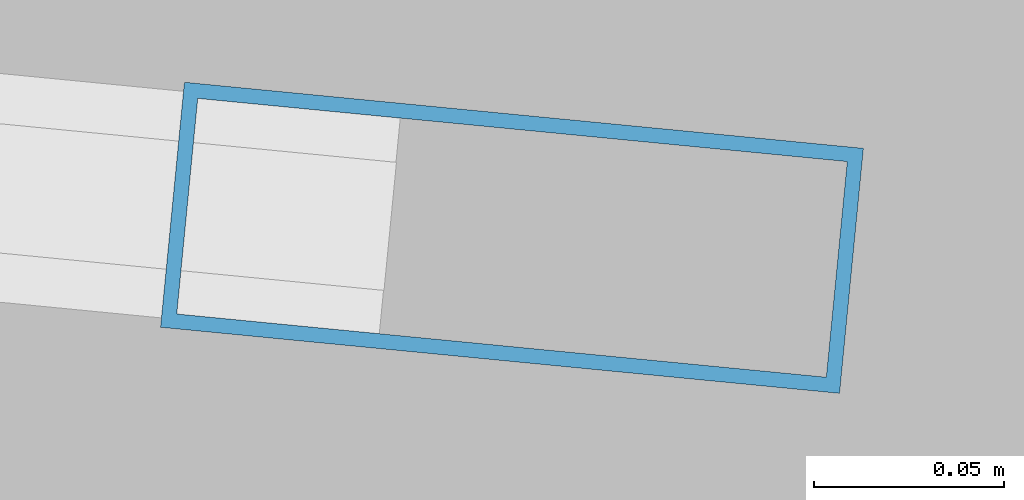
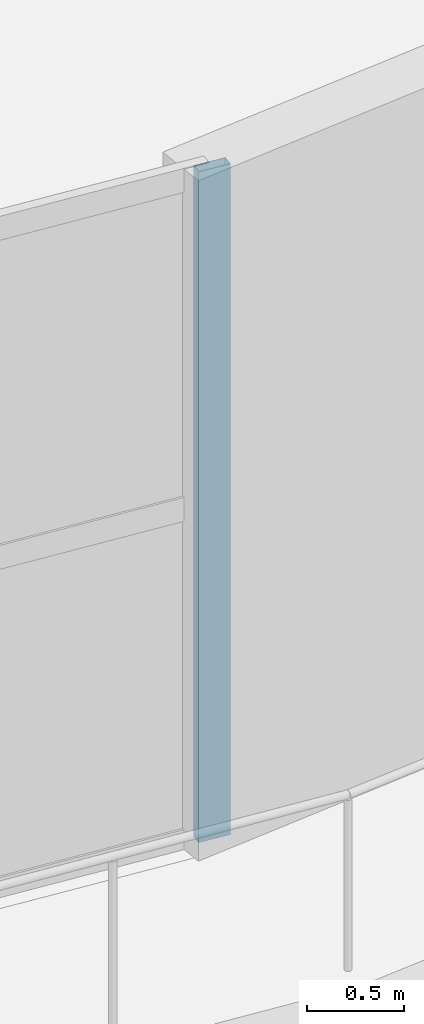
# One storey, part 32 of 123: 1 member, 1 element without a shape of its own.
"""IFC4 building model written with IfcOpenShell, lengths in metres."""

import ifcopenshell
import ifcopenshell.guid

model = None  # the IFC model being written
_history = None  # IfcOwnerHistory: only IFC2X3 demands one
_inside = {}  # id of a spatial element -> (the spatial element, [elements in it])
_under = {}  # id of a project, library or spatial element -> (it, [spatial elements below it])
_declared = {}  # id of a project -> (the project, [libraries it declares])
_typed = {}  # id of a type object -> (the type object, [elements of that type])
_made_of = {}  # id of a material, layer set ... -> (it, [elements and type objects made of it])


def new_model(schema):
    """Start an empty IFC model of exactly this schema.

    Asked for "IFC4X3", IfcOpenShell would pick the latest addendum, in which some entities
    have other attributes; the version numbers below select the first issue.
    IFC2X3 requires an IfcOwnerHistory on every rooted entity: one is made here for all.
    """
    global model, _history
    if schema == "IFC4X3":
        model = ifcopenshell.file(schema_version=(4, 3, 0, 0))
    else:
        model = ifcopenshell.file(schema=schema)
    _inside.clear()
    _under.clear()
    _declared.clear()
    _typed.clear()
    _made_of.clear()
    _history = None
    if model.schema == "IFC2X3":
        org = make("IfcOrganization", Name="unknown")
        user = make(
            "IfcPersonAndOrganization",
            ThePerson=make("IfcPerson", FamilyName="unknown"),
            TheOrganization=org,
        )
        app = make(
            "IfcApplication",
            ApplicationDeveloper=org,
            Version="unknown",
            ApplicationFullName="unknown",
            ApplicationIdentifier="unknown",
        )
        _history = make(
            "IfcOwnerHistory",
            OwningUser=user,
            OwningApplication=app,
            ChangeAction="ADDED",
            CreationDate=0,
        )
    return model


def make(cls, **values):
    """One entity of the class cls with the attributes given. An attribute that is None is left unset."""
    return model.create_entity(
        cls, **{name: value for name, value in values.items() if value is not None}
    )


def rooted(cls, **values):
    """An entity with a GlobalId (a new one), such as an element, a storey or a relation."""
    return make(cls, GlobalId=ifcopenshell.guid.new(), OwnerHistory=_history, **values)


def si_unit(unit_type, name, prefix=None):
    """IfcSIUnit, for example si_unit("LENGTHUNIT", "METRE", prefix="MILLI")."""
    return make("IfcSIUnit", UnitType=unit_type, Prefix=prefix, Name=name)


def assignment(units):
    """IfcUnitAssignment: the units of a project."""
    return None if units is None else make("IfcUnitAssignment", Units=units)


def point(xyz):
    """IfcCartesianPoint."""
    return None if xyz is None else make("IfcCartesianPoint", Coordinates=xyz)


def direction(xyz):
    """IfcDirection."""
    return None if xyz is None else make("IfcDirection", DirectionRatios=xyz)


def frame(location, z_axis=None, x_axis=None):
    """IfcAxis2Placement3D, a coordinate frame: its origin and axes. An axis left out is left unset."""
    return make(
        "IfcAxis2Placement3D",
        Location=point(location),
        Axis=direction(z_axis),
        RefDirection=direction(x_axis),
    )


def frame_2d(location, x_axis=None):
    """IfcAxis2Placement2D, a coordinate frame in the plane: its origin and x axis."""
    return make(
        "IfcAxis2Placement2D", Location=point(location), RefDirection=direction(x_axis)
    )


def origin():
    """The frame at (0, 0, 0) with its axes left unset."""
    return frame((0.0, 0.0, 0.0))


def origin_2d():
    """The frame at (0, 0) in the plane with its x axis left unset."""
    return frame_2d((0.0, 0.0))


def place(relative_to, where):
    """IfcLocalPlacement: puts the frame where relative to a parent placement (None: the world)."""
    return make(
        "IfcLocalPlacement", PlacementRelTo=relative_to, RelativePlacement=where
    )


def context(
    kind, dimensions, precision=None, world=None, true_north=None, identifier=None
):
    """IfcGeometricRepresentationContext, for example the 3D "Model" context."""
    return make(
        "IfcGeometricRepresentationContext",
        ContextIdentifier=identifier,
        ContextType=kind,
        CoordinateSpaceDimension=dimensions,
        Precision=precision,
        WorldCoordinateSystem=world,
        TrueNorth=true_north,
    )


def subcontext(parent, identifier, kind, view, scale=None):
    """IfcGeometricRepresentationSubContext, for example "Body" below "Model"."""
    return make(
        "IfcGeometricRepresentationSubContext",
        ContextIdentifier=identifier,
        ContextType=kind,
        ParentContext=parent,
        TargetScale=scale,
        TargetView=view,
    )


def project(units=None, contexts=None):
    """IfcProject with its units and contexts."""
    return rooted(
        "IfcProject",
        Name="project",
        RepresentationContexts=contexts,
        UnitsInContext=assignment(units),
    )


def spatial(cls, under=None, at=None, **own):
    """A site, building, storey or space (cls), placed at a placement, below another one or the project."""
    s = rooted(cls, ObjectPlacement=at, **own)
    if under is not None:
        _under.setdefault(under.id(), (under, []))[1].append(s)
    return s


def profile(cls, at=None, kind="AREA", **sizes):
    """A parametric profile (cls). Its sizes go by their IFC names, for example OverallWidth=200.0."""
    return make(cls, ProfileType=kind, Position=at, **sizes)


def hollow_rectangle(**sizes):
    """IfcRectangleHollowProfileDef."""
    return profile("IfcRectangleHollowProfileDef", **sizes)


def extrude(swept, where, along, depth):
    """IfcExtrudedAreaSolid: the profile swept, set in the frame where, extruded along a direction by depth."""
    return make(
        "IfcExtrudedAreaSolid",
        SweptArea=swept,
        Position=where,
        ExtrudedDirection=direction(along),
        Depth=depth,
    )


def shape(context_of_items, identifier, shape_type, items):
    """IfcShapeRepresentation: the items that make up one representation, for example the "Body"."""
    return make(
        "IfcShapeRepresentation",
        ContextOfItems=context_of_items,
        RepresentationIdentifier=identifier,
        RepresentationType=shape_type,
        Items=items,
    )


def material(Name=None, Category=None):
    """IfcMaterial."""
    return make("IfcMaterial", Name=Name, Category=Category)


def layer(
    of_material, thickness, ventilated=None, Name=None, Category=None, Priority=None
):
    """IfcMaterialLayer: one layer of a wall or slab, of a material (None: an air gap)."""
    return make(
        "IfcMaterialLayer",
        Material=of_material,
        LayerThickness=thickness,
        IsVentilated=ventilated,
        Name=Name,
        Category=Category,
        Priority=Priority,
    )


def layer_set(layers, Name=None):
    """IfcMaterialLayerSet."""
    return make("IfcMaterialLayerSet", MaterialLayers=layers, LayerSetName=Name)


def material_profile(
    of_material, cross_section, Name=None, Category=None, Priority=None
):
    """IfcMaterialProfile: a cross section and its material."""
    return make(
        "IfcMaterialProfile",
        Name=Name,
        Material=of_material,
        Profile=cross_section,
        Priority=Priority,
        Category=Category,
    )


def profile_set(profiles, Name=None, composite=None):
    """IfcMaterialProfileSet."""
    return make(
        "IfcMaterialProfileSet",
        Name=Name,
        MaterialProfiles=profiles,
        CompositeProfile=composite,
    )


def made_of(thing, what):
    """Note that an element or type object is made of a material, layer set ...; save() writes the relation."""
    if what is not None:
        _made_of.setdefault(what.id(), (what, []))[1].append(thing)
    return thing


def type_object(cls, material=None, **own):
    """A type object (cls), such as IfcWallType, which elements share."""
    return made_of(rooted(cls, **own), material)


def element(
    cls,
    number,
    at=None,
    inside=None,
    cuts=None,
    type_object=None,
    material=None,
    context=None,
    identifier="Body",
    shape_type=None,
    held_by="IfcProductDefinitionShape",
    body=None,
    shapes=None,
    **own,
):
    """One element of the class cls, such as IfcWall. Its Tag is "e" and its number.

    at: its placement. inside: the storey or other place that contains it. cuts: it is an
    opening in that element (IfcRelVoidsElement). A single representation is given by context,
    identifier, shape_type and body (its items); several are given by shapes. held_by: the class
    of the entity that holds the representations. save() writes the other relations.
    """
    e = rooted(cls, Tag="e%d" % number, ObjectPlacement=at, **own)
    if body is not None:
        shapes = [shape(context, identifier, shape_type, body)]
    if shapes is not None:
        e.Representation = make(held_by, Representations=shapes)
    if inside is not None:
        _inside.setdefault(inside.id(), (inside, []))[1].append(e)
    if cuts is not None:
        rooted(
            "IfcRelVoidsElement", RelatingBuildingElement=cuts, RelatedOpeningElement=e
        )
    if type_object is not None:
        _typed.setdefault(type_object.id(), (type_object, []))[1].append(e)
    return made_of(e, material)


def aggregate(whole, parts):
    """IfcRelAggregates: a whole, such as a stair, and the parts it consists of."""
    return rooted("IfcRelAggregates", RelatingObject=whole, RelatedObjects=parts)


def save(model, path):
    """Write the relations noted so far, then the file.

    IfcRelAggregates (storeys below a building ...), IfcRelContainedInSpatialStructure (elements
    in a storey), IfcRelDefinesByType, IfcRelAssociatesMaterial and IfcRelDeclares: one each for
    every whole, place, type object, material and project.
    """
    for whole, parts in _under.values():
        aggregate(whole, parts)
    for where, things in _inside.values():
        rooted(
            "IfcRelContainedInSpatialStructure",
            RelatedElements=things,
            RelatingStructure=where,
        )
    for kind, things in _typed.values():
        rooted("IfcRelDefinesByType", RelatedObjects=things, RelatingType=kind)
    for what, things in _made_of.values():
        rooted("IfcRelAssociatesMaterial", RelatedObjects=things, RelatingMaterial=what)
    for by, libraries in _declared.values():
        rooted("IfcRelDeclares", RelatingContext=by, RelatedDefinitions=libraries)
    model.write(path)


model = new_model("IFC4")

# Units and contexts
model_context = context("Model", 3, precision=1e-05, world=origin(), true_north=direction((0.0, 1.0)))
body_context = subcontext(model_context, "Body", "Model", "MODEL_VIEW")
ifc_project = project(units=[si_unit("LENGTHUNIT", "METRE"), si_unit("AREAUNIT", "SQUARE_METRE"), si_unit("VOLUMEUNIT", "CUBIC_METRE"), si_unit("PLANEANGLEUNIT", "RADIAN"), si_unit("MASSUNIT", "GRAM", prefix="KILO")], contexts=[model_context])

# Site, building, storey
site_placement = place(None, origin())
site = spatial("IfcSite", under=ifc_project, at=site_placement, CompositionType="ELEMENT")
building_placement = place(site_placement, origin())
building = spatial("IfcBuilding", under=site, at=building_placement, Name="Kalgoora Escarpment Arena", CompositionType="ELEMENT")
storey_placement = place(building_placement, frame((0.0, 0.0, 9.89990234375)))
storey = spatial("IfcBuildingStorey", under=building, at=storey_placement, Name="L02", CompositionType="ELEMENT", Elevation=9.89990234375)

# Curtain wall, member
ifc_material_1 = material(Name=" Champagne anodised aluminium & double-glazed low-E", Category="aluminium")
ifc_layer = layer(ifc_material_1, 0.162109375)
ifc_layer_set = layer_set([ifc_layer], Name="CW-UNIT-08")
curtain_wall_type = type_object("IfcCurtainWallType", Name="CW-UNIT-08", PredefinedType="NOTDEFINED", material=ifc_layer_set)
curtain_wall_placement = place(storey_placement, origin())
curtain_wall = element("IfcCurtainWall", 1, at=curtain_wall_placement, inside=storey, type_object=curtain_wall_type, Name="L02 unitised facade curtain wall 047", PredefinedType="NOTDEFINED")
ifc_material_2 = material(Name="Anodised aluminium 6063-T6", Category="aluminium")
ifc_material_profile = material_profile(ifc_material_2, hollow_rectangle(XDim=0.06494140625, YDim=0.179931640625, WallThickness=0.00390625, at=origin_2d()))
ifc_profile_set = profile_set([ifc_material_profile], Name="Anodised aluminium 6063-T6")
member_type = type_object("IfcMemberType", Name="MEM-CW-MULL-180", PredefinedType="MULLION", material=ifc_profile_set)
member_placement = place(storey_placement, frame((92.379150390625, 2.922607421875, 0.02001953125), z_axis=(0.0, 0.0, 1.0), x_axis=(-0.096853045283, -0.995298692664, 0.0)))
member = element("IfcMember", 2, at=member_placement, type_object=member_type, Name="CW-08 mullion 1", PredefinedType="MULLION", context=body_context, shape_type="SweptSolid", body=[
    extrude(hollow_rectangle(XDim=0.06494140625, YDim=0.179931640625, WallThickness=0.00390625, at=origin_2d()), origin(), (0.0, 0.0, 1.0), 4.205078125),
])
aggregate(curtain_wall, [member])

save(model, "model.ifc")
